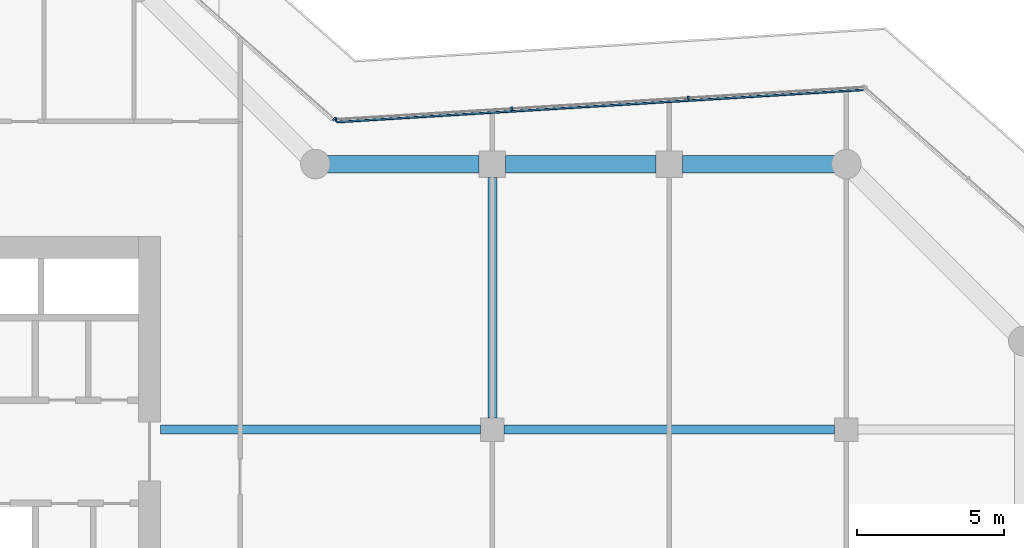
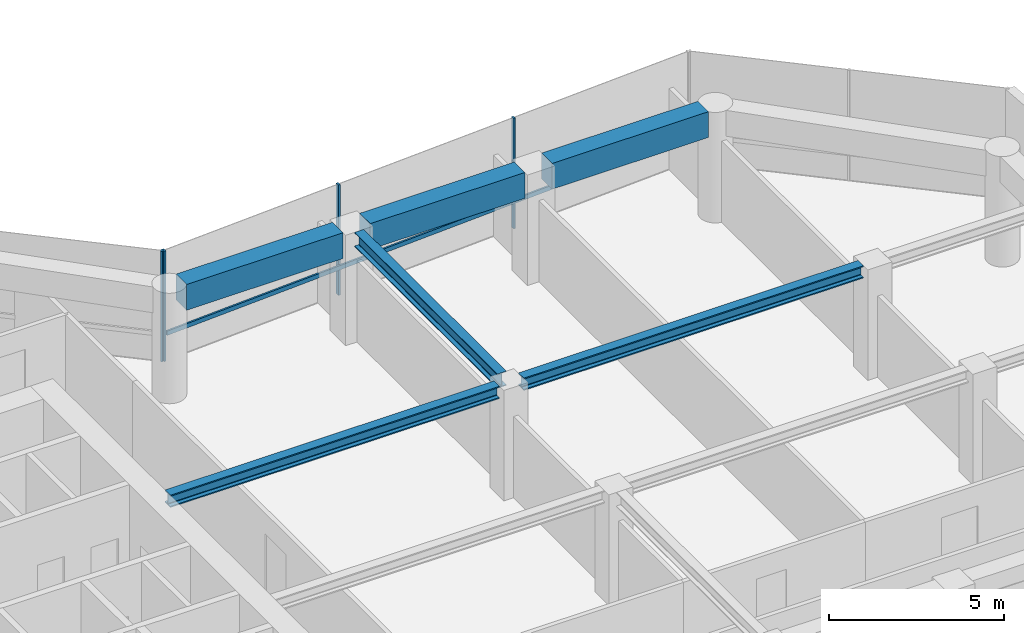
# One storey, part 8 of 23: 6 beams, 5 members, 2 elements without a shape of their own.
"""IFC4 building model written with IfcOpenShell, lengths in metres."""

from ifc_helpers import new_model, si_unit, direction, frame, origin, origin_2d, place, context, subcontext, project, spatial, rectangle, i_section, extrude, material, layer, layer_set, material_profile, profile_set, type_object, element, aggregate, save


model = new_model("IFC4")

# Units and contexts
model_context = context("Model", 3, precision=1e-05, world=origin(), true_north=direction((0.0, 1.0)))
body_context = subcontext(model_context, "Body", "Model", "MODEL_VIEW")
ifc_project = project(units=[si_unit("LENGTHUNIT", "METRE"), si_unit("AREAUNIT", "SQUARE_METRE"), si_unit("VOLUMEUNIT", "CUBIC_METRE"), si_unit("PLANEANGLEUNIT", "RADIAN"), si_unit("MASSUNIT", "GRAM", prefix="KILO")], contexts=[model_context])

# Site, building, storey
site_placement = place(None, origin())
site = spatial("IfcSite", under=ifc_project, at=site_placement, CompositionType="ELEMENT")
building_placement = place(site_placement, origin())
building = spatial("IfcBuilding", under=site, at=building_placement, Name="Welwitschia Terrace Campus", CompositionType="ELEMENT")
storey_placement = place(building_placement, frame((0.0, 0.0, 96.199951171875)))
storey = spatial("IfcBuildingStorey", under=building, at=storey_placement, Name="L21", CompositionType="ELEMENT", Elevation=96.199951171875)

# Beams
ifc_material_1 = material(Name="Steel S355", Category="steel")
ifc_material_profile_1 = material_profile(ifc_material_1, i_section(OverallWidth=0.306884765625, OverallDepth=0.431884765625, WebThickness=0.02099609375, FlangeThickness=0.0400390625, FilletRadius=0.027099609375, at=origin_2d()))
ifc_profile_set_1 = profile_set([ifc_material_profile_1], Name="Steel S355")
beam_type_1 = type_object("IfcBeamType", Name="Interior girder HE 400 M", PredefinedType="BEAM", material=ifc_profile_set_1)
beam_1_placement = place(storey_placement, frame((24.7509765625, 19.0, 3.634033203125), z_axis=(1.0, 0.0, 0.0), x_axis=(0.0, 1.0, 0.0)))
element("IfcBeam", 1, at=beam_1_placement, inside=storey, type_object=beam_type_1, Name="Girder GB3", PredefinedType="BEAM", context=body_context, shape_type="SweptSolid", body=[
    extrude(i_section(OverallWidth=0.306884765625, OverallDepth=0.431884765625, WebThickness=0.02099609375, FlangeThickness=0.0400390625, FilletRadius=0.027099609375, at=origin_2d()), origin(), (0.0, 0.0, 1.0), 10.8486328125),
])
beam_2_placement = place(storey_placement, frame((36.400390625, 19.0, 3.634033203125), z_axis=(1.0, 0.0, 0.0), x_axis=(0.0, 1.0, 0.0)))
element("IfcBeam", 2, at=beam_2_placement, inside=storey, type_object=beam_type_1, Name="Girder GB3", PredefinedType="BEAM", context=body_context, shape_type="SweptSolid", body=[
    extrude(i_section(OverallWidth=0.306884765625, OverallDepth=0.431884765625, WebThickness=0.02099609375, FlangeThickness=0.0400390625, FilletRadius=0.027099609375, at=origin_2d()), origin(), (0.0, 0.0, 1.0), 11.19921875),
])

# Curtain wall, members
ifc_material_2 = material(Name="Bronze anodised aluminium", Category="aluminium")
ifc_layer = layer(ifc_material_2, 0.1201171875)
ifc_layer_set = layer_set([ifc_layer], Name="Bronze anodised aluminium")
curtain_wall_type = type_object("IfcCurtainWallType", Name="Curtain wall CW2 tower 6000", PredefinedType="NOTDEFINED", material=ifc_layer_set)
curtain_wall_1_placement = place(storey_placement, origin())
curtain_wall_1 = element("IfcCurtainWall", 3, at=curtain_wall_1_placement, inside=storey, type_object=curtain_wall_type, Name="CW L21.6.0", PredefinedType="NOTDEFINED")
ifc_material_3 = material(Name="Bronze anodised aluminium", Category="aluminium")
ifc_material_profile_2 = material_profile(ifc_material_3, rectangle(XDim=0.1201171875, YDim=0.06005859375, at=origin_2d()))
ifc_profile_set_2 = profile_set([ifc_material_profile_2], Name="Bronze anodised aluminium")
member_type_1 = type_object("IfcMemberType", Name="Mullion 60x120", PredefinedType="MULLION", material=ifc_profile_set_2)
member_1_placement = place(storey_placement, frame((42.64306640625, 30.243408203125, 0.0), z_axis=(0.0, 0.0, 1.0), x_axis=(0.061048539535, -0.998134798422, 0.0)))
member_1 = element("IfcMember", 4, at=member_1_placement, type_object=member_type_1, Name="Mullion L21.6.0.1", PredefinedType="MULLION", context=body_context, shape_type="SweptSolid", body=[
    extrude(rectangle(XDim=0.1201171875, YDim=0.06005859375, at=origin_2d()), origin(), (0.0, 0.0, 1.0), 3.85009765625),
])
member_2_placement = place(storey_placement, frame((36.654296875, 29.876953125, 0.0), z_axis=(0.0, 0.0, 1.0), x_axis=(0.061048539535, -0.998134798422, 0.0)))
member_2 = element("IfcMember", 5, at=member_2_placement, type_object=member_type_1, Name="Mullion L21.6.0.2", PredefinedType="MULLION", context=body_context, shape_type="SweptSolid", body=[
    extrude(rectangle(XDim=0.1201171875, YDim=0.06005859375, at=origin_2d()), origin(), (0.0, 0.0, 1.0), 3.85009765625),
])
member_3_placement = place(storey_placement, frame((30.695556640625, 29.512451171875, 0.0), z_axis=(0.0, 0.0, 1.0), x_axis=(0.061048539535, -0.998134798422, 0.0)))
member_3 = element("IfcMember", 6, at=member_3_placement, type_object=member_type_1, Name="Mullion L21.6.0.3", PredefinedType="MULLION", context=body_context, shape_type="SweptSolid", body=[
    extrude(rectangle(XDim=0.1201171875, YDim=0.06005859375, at=origin_2d()), origin(), (0.0, 0.0, 1.0), 3.85009765625),
])

# Curtain wall, member
curtain_wall_2_placement = place(storey_placement, origin())
curtain_wall_2 = element("IfcCurtainWall", 7, at=curtain_wall_2_placement, inside=storey, type_object=curtain_wall_type, Name="CW L21.7.0", PredefinedType="NOTDEFINED")
member_4_placement = place(storey_placement, frame((30.64306640625, 29.530517578125, 0.0), z_axis=(0.0, 0.0, 1.0), x_axis=(-0.662620048216, -0.748955720789, 0.0)))
member_4 = element("IfcMember", 8, at=member_4_placement, type_object=member_type_1, Name="Mullion L21.7.0.0", PredefinedType="MULLION", context=body_context, shape_type="SweptSolid", body=[
    extrude(rectangle(XDim=0.1201171875, YDim=0.06005859375, at=origin_2d()), origin(), (0.0, 0.0, 1.0), 3.85009765625),
])
aggregate(curtain_wall_2, [member_4])

# Beams
ifc_material_4 = material(Name="Steel S355", Category="steel")
ifc_material_profile_3 = material_profile(ifc_material_4, i_section(OverallWidth=0.300048828125, OverallDepth=0.5, WebThickness=0.014404296875, FlangeThickness=0.028076171875, FilletRadius=0.027099609375, at=origin_2d()))
ifc_profile_set_3 = profile_set([ifc_material_profile_3], Name="Steel S355")
beam_type_2 = type_object("IfcBeamType", Name="Primary beam HE 500 B", PredefinedType="BEAM", material=ifc_profile_set_3)
beam_3_placement = place(storey_placement, frame((36.0, 27.549560546875, 3.60009765625), z_axis=(0.0, -1.0, 0.0), x_axis=(1.0, 0.0, 0.0)))
element("IfcBeam", 9, at=beam_3_placement, inside=storey, type_object=beam_type_2, Name="Primary beam PB3", PredefinedType="BEAM", context=body_context, shape_type="SweptSolid", body=[
    extrude(i_section(OverallWidth=0.300048828125, OverallDepth=0.5, WebThickness=0.014404296875, FlangeThickness=0.028076171875, FilletRadius=0.027099609375, at=origin_2d()), origin(), (0.0, 0.0, 1.0), 8.149169921875),
])
ifc_material_5 = material(Name="Concrete C60/75", Category="concrete")
ifc_material_profile_4 = material_profile(ifc_material_5, rectangle(XDim=0.60009765625, YDim=0.89990234375, at=origin_2d()))
ifc_profile_set_4 = profile_set([ifc_material_profile_4], Name="Concrete C60/75")
beam_type_3 = type_object("IfcBeamType", Name="Ring spandrel 600x900", PredefinedType="SPANDREL", material=ifc_profile_set_4)
beam_4_placement = place(storey_placement, frame((47.599609375, 28.0, 3.400146484375), z_axis=(-1.0, 0.0, 0.0), x_axis=(0.0, -1.0, 0.0)))
element("IfcBeam", 10, at=beam_4_placement, inside=storey, type_object=beam_type_3, Name="Spandrel SP2", PredefinedType="SPANDREL", context=body_context, shape_type="SweptSolid", body=[
    extrude(rectangle(XDim=0.60009765625, YDim=0.89990234375, at=origin_2d()), origin(), (0.0, 0.0, 1.0), 5.149169921875),
])
beam_5_placement = place(storey_placement, frame((41.549560546875, 28.0, 3.400146484375), z_axis=(-1.0, 0.0, 0.0), x_axis=(0.0, -1.0, 0.0)))
element("IfcBeam", 11, at=beam_5_placement, inside=storey, type_object=beam_type_3, Name="Spandrel SP2", PredefinedType="SPANDREL", context=body_context, shape_type="SweptSolid", body=[
    extrude(rectangle(XDim=0.60009765625, YDim=0.89990234375, at=origin_2d()), origin(), (0.0, 0.0, 1.0), 5.09912109375),
])
beam_6_placement = place(storey_placement, frame((35.549560546875, 28.0, 3.400146484375), z_axis=(-1.0, 0.0, 0.0), x_axis=(0.0, -1.0, 0.0)))
element("IfcBeam", 12, at=beam_6_placement, inside=storey, type_object=beam_type_3, Name="Spandrel SP2", PredefinedType="SPANDREL", context=body_context, shape_type="SweptSolid", body=[
    extrude(rectangle(XDim=0.60009765625, YDim=0.89990234375, at=origin_2d()), origin(), (0.0, 0.0, 1.0), 5.149169921875),
])

# Member
ifc_material_6 = material(Name="Bronze anodised aluminium", Category="aluminium")
ifc_material_profile_5 = material_profile(ifc_material_6, rectangle(XDim=0.06005859375, YDim=0.14990234375, at=origin_2d()))
ifc_profile_set_5 = profile_set([ifc_material_profile_5], Name="Bronze anodised aluminium")
member_type_2 = type_object("IfcMemberType", Name="Transom 60x150", PredefinedType="USERDEFINED", material=ifc_profile_set_5)
member_5_placement = place(storey_placement, frame((48.57763671875, 30.51611328125, 1.0), z_axis=(-0.998134788049, -0.06104870913, 0.0), x_axis=(0.06104870913, -0.998134788049, 0.0)))
member_5 = element("IfcMember", 13, at=member_5_placement, type_object=member_type_2, Name="Transom L21.6.0", ObjectType="TRANSOM", PredefinedType="USERDEFINED", context=body_context, shape_type="SweptSolid", body=[
    extrude(rectangle(XDim=0.06005859375, YDim=0.14990234375, at=origin_2d()), origin(), (0.0, 0.0, 1.0), 17.880126953125),
])

aggregate(curtain_wall_1, [member_1, member_2, member_3, member_5])

save(model, "model.ifc")
